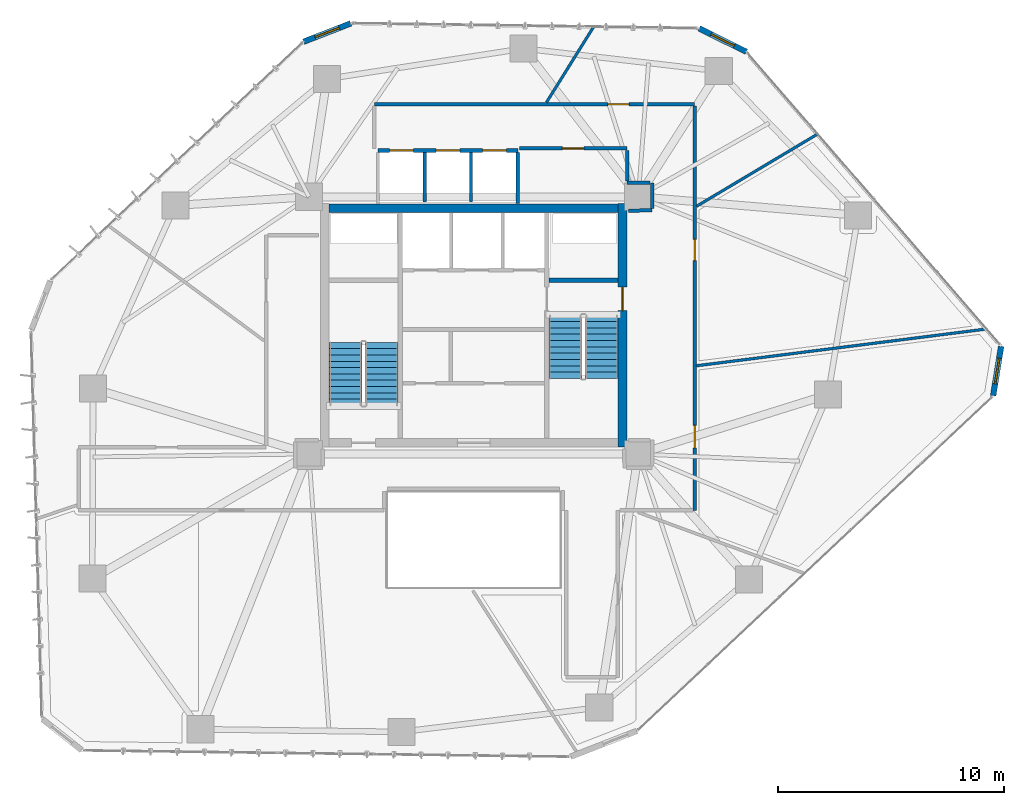
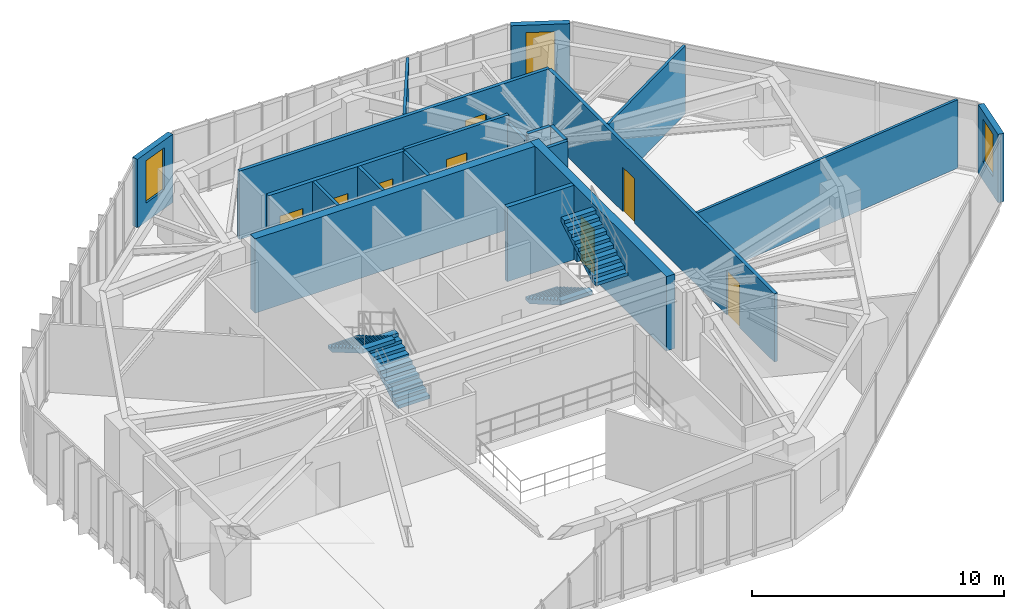
# One storey, part 19 of 22: 20 walls, 8 doors, 4 stair flights, 3 windows, 11 openings, 2 elements without a shape of their own.
"""IFC4 building model written with IfcOpenShell, lengths in metres."""

from ifc_helpers import new_model, si_unit, direction, frame, frame_2d, origin, place, context, subcontext, project, spatial, polyline, rectangle, outline, extrude, source, transform, mapped, material, layer, layer_set, type_object, type_shapes, element, fill, aggregate, save


model = new_model("IFC4")

# Units and contexts
model_context = context("Model", 3, precision=1e-05, world=origin(), true_north=direction((0.0, 1.0)))
body_context = subcontext(model_context, "Body", "Model", "MODEL_VIEW")
ifc_project = project(units=[si_unit("LENGTHUNIT", "METRE"), si_unit("AREAUNIT", "SQUARE_METRE"), si_unit("VOLUMEUNIT", "CUBIC_METRE"), si_unit("PLANEANGLEUNIT", "RADIAN"), si_unit("MASSUNIT", "GRAM", prefix="KILO")], contexts=[model_context])

# Site, building, storey
site_placement = place(None, origin())
site = spatial("IfcSite", under=ifc_project, at=site_placement, CompositionType="ELEMENT")
building_placement = place(site_placement, origin())
building = spatial("IfcBuilding", under=site, at=building_placement, Name="Talar Marvaseh", CompositionType="ELEMENT")
storey_placement = place(building_placement, frame((0.0, 0.0, 89.39990234375)))
storey = spatial("IfcBuildingStorey", under=building, at=storey_placement, Name="L22", CompositionType="ELEMENT", Elevation=89.39990234375)

# Wall, opening, window
ifc_material_1 = material(Name="Precast concrete C45/55", Category="concrete")
ifc_layer_1 = layer(ifc_material_1, 0.2548828125)
ifc_layer_set_1 = layer_set([ifc_layer_1], Name="Precast concrete C45/55")
wall_type_1 = type_object("IfcWallType", Name="Chamfered Hexagonal Corner Pier Wall Z2 255", PredefinedType="SOLIDWALL", material=ifc_layer_set_1)
wall_1_placement = place(storey_placement, frame((18.46728515625, 43.7734375, 0.0), z_axis=(0.0, 0.0, 1.0), x_axis=(0.931996507687, 0.362467253223, 0.0)))
wall_1 = element("IfcWall", 1, at=wall_1_placement, inside=storey, type_object=wall_type_1, Name="L22 Chamfered Corner Limestone Pier 3", PredefinedType="SOLIDWALL", context=body_context, shape_type="SweptSolid", body=[
    extrude(rectangle(XDim=2.244873046875, YDim=0.2548828125, at=frame_2d((1.12255859375, 0.0))), origin(), (0.0, 0.0, 1.0), 3.31005859375),
])
opening_1_placement = place(wall_1_placement, frame((0.548095703125, 0.0, 0.89990234375)))
opening_1 = element("IfcOpeningElement", 2, at=opening_1_placement, cuts=wall_1, Name="Opening WN-CHM11", PredefinedType="OPENING", context=body_context, shape_type="SweptSolid", body=[
    extrude(rectangle(XDim=1.14990234375, YDim=2.050048828125, at=frame_2d((0.574951171875, 1.02490234375))), frame((0.0, 0.137451171875, 0.0), z_axis=(0.0, -1.0, 0.0), x_axis=(1.0, 0.0, 0.0)), (0.0, 0.0, 1.0), 0.27490234375),
])
ifc_material_2 = material(Name="Laminated Low-E Solar Glass", Category="glass")
window_type = type_object("IfcWindowType", Name="Zone 2 Chamfered Corner Slot Window 1150x2050", PartitioningType="SINGLE_PANEL", PredefinedType="WINDOW", material=ifc_material_2)
shared_shape_1 = source(origin(), body_context, "Body", "SweptSolid", [
    extrude(rectangle(XDim=1.14990234375, YDim=2.050048828125, at=frame_2d((0.574951171875, 1.02490234375))), frame((0.0, 0.030029296875, 0.0), z_axis=(0.0, -1.0, 0.0), x_axis=(1.0, 0.0, 0.0)), (0.0, 0.0, 1.0), 0.06005859375),
])
type_shapes(window_type, [shared_shape_1])
window_1_placement = place(opening_1_placement, origin())
window_1 = element("IfcWindow", 3, at=window_1_placement, inside=storey, type_object=window_type, Name="L22 Chamfered Corner Slot Window", OverallHeight=2.050048828125, OverallWidth=1.14990234375, PartitioningType="SINGLE_PANEL", PredefinedType="WINDOW", context=body_context, shape_type="MappedRepresentation", body=[
    mapped(shared_shape_1, transform((0.0, 0.0, 0.0), x_axis=(1.0, 0.0, 0.0), y_axis=(0.0, 1.0, 0.0), z_axis=(0.0, 0.0, 1.0), scale=1.0)),
])
fill(opening_1, window_1)

wall_2_placement = place(storey_placement, frame((35.99658203125, 44.365478515625, 0.0), z_axis=(0.0, 0.0, 1.0), x_axis=(0.895882535091, -0.444290989463, 0.0)))
wall_2 = element("IfcWall", 4, at=wall_2_placement, inside=storey, type_object=wall_type_1, Name="L22 Chamfered Corner Limestone Pier 4", PredefinedType="SOLIDWALL", context=body_context, shape_type="SweptSolid", body=[
    extrude(rectangle(XDim=2.3408203125, YDim=0.2548828125, at=frame_2d((1.17041015625, 0.0))), origin(), (0.0, 0.0, 1.0), 3.31005859375),
])
opening_2_placement = place(wall_2_placement, frame((0.594970703125, 0.0, 0.89990234375)))
opening_2 = element("IfcOpeningElement", 5, at=opening_2_placement, cuts=wall_2, Name="Opening WN-CHM11", PredefinedType="OPENING", context=body_context, shape_type="SweptSolid", body=[
    extrude(rectangle(XDim=1.14990234375, YDim=2.050048828125, at=frame_2d((0.574951171875, 1.02490234375))), frame((0.0, 0.137451171875, 0.0), z_axis=(0.0, -1.0, 0.0), x_axis=(1.0, 0.0, 0.0)), (0.0, 0.0, 1.0), 0.27490234375),
])
window_2_placement = place(opening_2_placement, origin())
window_2 = element("IfcWindow", 6, at=window_2_placement, inside=storey, type_object=window_type, Name="L22 Chamfered Corner Slot Window", OverallHeight=2.050048828125, OverallWidth=1.14990234375, PartitioningType="SINGLE_PANEL", PredefinedType="WINDOW", context=body_context, shape_type="MappedRepresentation", body=[
    mapped(shared_shape_1, transform((0.0, 0.0, 0.0), x_axis=(1.0, 0.0, 0.0), y_axis=(0.0, 1.0, 0.0), z_axis=(0.0, 0.0, 1.0), scale=1.0)),
])
fill(opening_2, window_2)

wall_3_placement = place(storey_placement, frame((49.383056640625, 30.2685546875, 0.0), z_axis=(0.0, 0.0, 1.0), x_axis=(-0.159485223394, -0.987200315802, 0.0)))
wall_3 = element("IfcWall", 7, at=wall_3_placement, inside=storey, type_object=wall_type_1, Name="L22 Chamfered Corner Limestone Pier 5", PredefinedType="SOLIDWALL", context=body_context, shape_type="SweptSolid", body=[
    extrude(rectangle(XDim=2.216552734375, YDim=0.2548828125, at=frame_2d((1.1083984375, 0.0))), origin(), (0.0, 0.0, 1.0), 3.31005859375),
])
opening_3_placement = place(wall_3_placement, frame((0.532958984375, 0.0, 0.89990234375)))
opening_3 = element("IfcOpeningElement", 8, at=opening_3_placement, cuts=wall_3, Name="Opening WN-CHM11", PredefinedType="OPENING", context=body_context, shape_type="SweptSolid", body=[
    extrude(rectangle(XDim=1.14990234375, YDim=2.050048828125, at=frame_2d((0.574951171875, 1.02490234375))), frame((0.0, 0.137451171875, 0.0), z_axis=(0.0, -1.0, 0.0), x_axis=(1.0, 0.0, 0.0)), (0.0, 0.0, 1.0), 0.27490234375),
])
window_3_placement = place(opening_3_placement, origin())
window_3 = element("IfcWindow", 9, at=window_3_placement, inside=storey, type_object=window_type, Name="L22 Chamfered Corner Slot Window", OverallHeight=2.050048828125, OverallWidth=1.14990234375, PartitioningType="SINGLE_PANEL", PredefinedType="WINDOW", context=body_context, shape_type="MappedRepresentation", body=[
    mapped(shared_shape_1, transform((0.0, 0.0, 0.0), x_axis=(1.0, 0.0, 0.0), y_axis=(0.0, 1.0, 0.0), z_axis=(0.0, 0.0, 1.0), scale=1.0)),
])
fill(opening_3, window_3)

# Wall, opening, door
ifc_material_3 = material(Name="Gypsum Board Partition Assembly")
ifc_layer_2 = layer(ifc_material_3, 0.155029296875)
ifc_layer_set_2 = layer_set([ifc_layer_2], Name="Gypsum Board Partition Assembly")
wall_type_2 = type_object("IfcWallType", Name="Corridor Fire-Rated Acoustic Partition 155", PredefinedType="PARTITIONING", material=ifc_layer_set_2)
wall_4_placement = place(storey_placement, frame((32.800048828125, 39.0400390625, 0.0), z_axis=(0.0, 0.0, 1.0), x_axis=(-1.0, 0.0, 0.0)))
wall_4 = element("IfcWall", 10, at=wall_4_placement, inside=storey, type_object=wall_type_2, Name="L22 Interior Partition Wall", PredefinedType="PARTITIONING", context=body_context, shape_type="SweptSolid", body=[
    extrude(rectangle(XDim=4.77001953125, YDim=0.155029296875, at=frame_2d((2.385009765625, 0.0))), origin(), (0.0, 0.0, 1.0), 3.31005859375),
])
opening_4_placement = place(wall_4_placement, frame((1.909912109375, 0.0, 0.0)))
opening_4 = element("IfcOpeningElement", 11, at=opening_4_placement, cuts=wall_4, Name="Opening DR-WC095", PredefinedType="OPENING", context=body_context, shape_type="SweptSolid", body=[
    extrude(rectangle(XDim=0.949951171875, YDim=2.14990234375, at=frame_2d((0.47509765625, 1.074951171875))), frame((0.0, 0.08740234375, 0.0), z_axis=(0.0, -1.0, 0.0), x_axis=(1.0, 0.0, 0.0)), (0.0, 0.0, 1.0), 0.175048828125),
])
ifc_material_4 = material(Name="Acoustic Engineered Oak Timber", Category="wood")
door_type_1 = type_object("IfcDoorType", Name="Washroom and Service Room Door 950x2150", OperationType="NOTDEFINED", PredefinedType="DOOR", material=ifc_material_4)
shared_shape_2 = source(origin(), body_context, "Body", "SweptSolid", [
    extrude(rectangle(XDim=0.949951171875, YDim=2.14990234375, at=frame_2d((0.47509765625, 1.074951171875))), frame((0.0, 0.02490234375, 0.0), z_axis=(0.0, -1.0, 0.0), x_axis=(1.0, 0.0, 0.0)), (0.0, 0.0, 1.0), 0.050048828125),
])
type_shapes(door_type_1, [shared_shape_2])
door_1_placement = place(opening_4_placement, origin())
door_1 = element("IfcDoor", 12, at=door_1_placement, inside=storey, type_object=door_type_1, Name="L22 WC Public Washrooms Door", OperationType="SINGLE_SWING_RIGHT", OverallHeight=2.14990234375, OverallWidth=0.949951171875, PredefinedType="DOOR", context=body_context, shape_type="MappedRepresentation", body=[
    mapped(shared_shape_2, transform((0.0, 0.0, 0.0), x_axis=(1.0, 0.0, 0.0), y_axis=(0.0, 1.0, 0.0), z_axis=(0.0, 0.0, 1.0), scale=1.0)),
])
fill(opening_4, door_1)

wall_5_placement = place(storey_placement, frame((21.60009765625, 41.0, 0.0), z_axis=(0.0, 0.0, 1.0), x_axis=(1.0, 0.0, 0.0)))
wall_5 = element("IfcWall", 13, at=wall_5_placement, inside=storey, type_object=wall_type_2, Name="L22 Interior Partition Wall", PredefinedType="PARTITIONING", context=body_context, shape_type="SweptSolid", body=[
    extrude(rectangle(XDim=14.199951171875, YDim=0.155029296875, at=frame_2d((7.10009765625, 0.0))), origin(), (0.0, 0.0, 1.0), 3.31005859375),
])
opening_5_placement = place(wall_5_placement, frame((10.3466796875, 0.0, 0.0)))
opening_5 = element("IfcOpeningElement", 14, at=opening_5_placement, cuts=wall_5, Name="Opening DR-WC095", PredefinedType="OPENING", context=body_context, shape_type="SweptSolid", body=[
    extrude(rectangle(XDim=0.949951171875, YDim=2.14990234375, at=frame_2d((0.47509765625, 1.074951171875))), frame((0.0, 0.08740234375, 0.0), z_axis=(0.0, -1.0, 0.0), x_axis=(1.0, 0.0, 0.0)), (0.0, 0.0, 1.0), 0.175048828125),
])
door_2_placement = place(opening_5_placement, origin())
door_2 = element("IfcDoor", 15, at=door_2_placement, inside=storey, type_object=door_type_1, Name="L22 Accessible WC Block Door", OperationType="SINGLE_SWING_LEFT", OverallHeight=2.14990234375, OverallWidth=0.949951171875, PredefinedType="DOOR", context=body_context, shape_type="MappedRepresentation", body=[
    mapped(shared_shape_2, transform((0.0, 0.0, 0.0), x_axis=(1.0, 0.0, 0.0), y_axis=(0.0, 1.0, 0.0), z_axis=(0.0, 0.0, 1.0), scale=1.0)),
])
fill(opening_5, door_2)

# Wall, openings, doors
wall_6_placement = place(storey_placement, frame((35.800048828125, 40.91650390625, 0.0), z_axis=(0.0, 0.0, 1.0), x_axis=(0.0, -1.0, 0.0)))
wall_6 = element("IfcWall", 16, at=wall_6_placement, inside=storey, type_object=wall_type_2, Name="L22 Interior Partition Wall", PredefinedType="PARTITIONING", context=body_context, shape_type="SweptSolid", body=[
    extrude(rectangle(XDim=17.91650390625, YDim=0.155029296875, at=frame_2d((8.958251953125, 0.0))), origin(), (0.0, 0.0, 1.0), 3.31005859375),
])
opening_6_placement = place(wall_6_placement, frame((14.144287109375, 0.0, 0.0)))
opening_6 = element("IfcOpeningElement", 17, at=opening_6_placement, cuts=wall_6, Name="Opening DR-RM100", PredefinedType="OPENING", context=body_context, shape_type="SweptSolid", body=[
    extrude(rectangle(XDim=1.0, YDim=2.14990234375, at=frame_2d((0.5, 1.074951171875))), frame((0.0, 0.08740234375, 0.0), z_axis=(0.0, -1.0, 0.0), x_axis=(1.0, 0.0, 0.0)), (0.0, 0.0, 1.0), 0.175048828125),
])
opening_7_placement = place(wall_6_placement, frame((5.900146484375, 0.0, 0.0)))
opening_7 = element("IfcOpeningElement", 18, at=opening_7_placement, cuts=wall_6, Name="Opening DR-WC095", PredefinedType="OPENING", context=body_context, shape_type="SweptSolid", body=[
    extrude(rectangle(XDim=0.949951171875, YDim=2.14990234375, at=frame_2d((0.47509765625, 1.074951171875))), frame((0.0, 0.08740234375, 0.0), z_axis=(0.0, -1.0, 0.0), x_axis=(1.0, 0.0, 0.0)), (0.0, 0.0, 1.0), 0.175048828125),
])
door_3_placement = place(opening_7_placement, origin())
door_3 = element("IfcDoor", 19, at=door_3_placement, inside=storey, type_object=door_type_1, Name="L22 Scholars' Servery Pantry Door", OperationType="SINGLE_SWING_RIGHT", OverallHeight=2.14990234375, OverallWidth=0.949951171875, PredefinedType="DOOR", context=body_context, shape_type="MappedRepresentation", body=[
    mapped(shared_shape_2, transform((0.0, 0.0, 0.0), x_axis=(1.0, 0.0, 0.0), y_axis=(0.0, 1.0, 0.0), z_axis=(0.0, 0.0, 1.0), scale=1.0)),
])
fill(opening_7, door_3)
door_type_2 = type_object("IfcDoorType", Name="Corridor Fire-Rated Gallery Door 1000x2150", OperationType="NOTDEFINED", PredefinedType="DOOR", material=ifc_material_4)
shared_shape_3 = source(origin(), body_context, "Body", "SweptSolid", [
    extrude(rectangle(XDim=1.0, YDim=2.14990234375, at=frame_2d((0.5, 1.074951171875))), frame((0.0, 0.02490234375, 0.0), z_axis=(0.0, -1.0, 0.0), x_axis=(1.0, 0.0, 0.0)), (0.0, 0.0, 1.0), 0.050048828125),
])
type_shapes(door_type_2, [shared_shape_3])
door_4_placement = place(opening_6_placement, origin())
door_4 = element("IfcDoor", 20, at=door_4_placement, inside=storey, type_object=door_type_2, Name="L22 Main Reading Room Door", OperationType="SINGLE_SWING_LEFT", OverallHeight=2.14990234375, OverallWidth=1.0, PredefinedType="DOOR", context=body_context, shape_type="MappedRepresentation", body=[
    mapped(shared_shape_3, transform((0.0, 0.0, 0.0), x_axis=(1.0, 0.0, 0.0), y_axis=(0.0, 1.0, 0.0), z_axis=(0.0, 0.0, 1.0), scale=1.0)),
])
fill(opening_6, door_4)

# Walls
wall_7_placement = place(storey_placement, frame((32.8701171875, 36.284912109375, 0.0), z_axis=(0.0, 0.0, 1.0), x_axis=(0.999895094683, 0.014484461652, 0.0)))
element("IfcWall", 21, at=wall_7_placement, inside=storey, type_object=wall_type_2, Name="L22 Interior Partition Wall", PredefinedType="PARTITIONING", context=body_context, shape_type="SweptSolid", body=[
    extrude(rectangle(XDim=1.044921875, YDim=0.155029296875, at=frame_2d((0.5224609375, 0.0))), origin(), (0.0, 0.0, 1.0), 3.31005859375),
])
wall_8_placement = place(storey_placement, frame((33.914794921875, 36.383544921875, 0.0), z_axis=(0.0, 0.0, 1.0), x_axis=(-0.003682817312, 0.999993218405, 0.0)))
element("IfcWall", 22, at=wall_8_placement, inside=storey, type_object=wall_type_2, Name="L22 Interior Partition Wall", PredefinedType="PARTITIONING", context=body_context, shape_type="SweptSolid", body=[
    extrude(rectangle(XDim=1.126953125, YDim=0.155029296875, at=frame_2d((0.5634765625, 0.0))), origin(), (0.0, 0.0, 1.0), 3.31005859375),
])
wall_9_placement = place(storey_placement, frame((33.8271484375, 37.510986328125, 0.0), z_axis=(0.0, 0.0, 1.0), x_axis=(-0.99999276797, 0.003803157663, 0.0)))
element("IfcWall", 23, at=wall_9_placement, inside=storey, type_object=wall_type_2, Name="L22 Interior Partition Wall", PredefinedType="PARTITIONING", context=body_context, shape_type="SweptSolid", body=[
    extrude(rectangle(XDim=1.027099609375, YDim=0.155029296875, at=frame_2d((0.513671875, 0.0))), origin(), (0.0, 0.0, 1.0), 3.31005859375),
])
wall_10_placement = place(storey_placement, frame((32.800048828125, 37.598388671875, 0.0), z_axis=(0.0, 0.0, 1.0), x_axis=(0.0, 1.0, 0.0)))
element("IfcWall", 24, at=wall_10_placement, inside=storey, type_object=wall_type_2, Name="L22 Interior Partition Wall", PredefinedType="PARTITIONING", context=body_context, shape_type="SweptSolid", body=[
    extrude(rectangle(XDim=1.358154296875, YDim=0.155029296875, at=frame_2d((0.67919921875, 0.0))), origin(), (0.0, 0.0, 1.0), 2.927001953125),
])
ifc_layer_3 = layer(ifc_material_3, 0.1201171875)
ifc_layer_set_3 = layer_set([ifc_layer_3], Name="Gypsum Board Partition Assembly")
wall_type_3 = type_object("IfcWallType", Name="Demountable Studio Room Partition 120", PredefinedType="PARTITIONING", material=ifc_layer_set_3)
wall_11_placement = place(storey_placement, frame((35.864501953125, 29.408203125, 0.0), z_axis=(0.0, 0.0, 1.0), x_axis=(0.992060395475, 0.125762362136, 0.0)))
element("IfcWall", 25, at=wall_11_placement, inside=storey, type_object=wall_type_3, Name="L22 Interior Partition Wall", PredefinedType="PARTITIONING", context=body_context, shape_type="SweptSolid", body=[
    extrude(rectangle(XDim=12.9560546875, YDim=0.1201171875, at=frame_2d((6.47802734375, 0.0))), origin(), (0.0, 0.0, 1.0), 3.31005859375),
])
wall_12_placement = place(storey_placement, frame((35.883544921875, 36.479736328125, 0.0), z_axis=(0.0, 0.0, 1.0), x_axis=(0.858762929793, 0.512373135922, 0.0)))
element("IfcWall", 26, at=wall_12_placement, inside=storey, type_object=wall_type_3, Name="L22 Interior Partition Wall", PredefinedType="PARTITIONING", context=body_context, shape_type="SweptSolid", body=[
    extrude(rectangle(XDim=6.229248046875, YDim=0.1201171875, at=frame_2d((3.11474609375, 0.0))), origin(), (0.0, 0.0, 1.0), 3.31005859375),
])
wall_13_placement = place(storey_placement, frame((29.23193359375, 41.08349609375, 0.0), z_axis=(0.0, 0.0, 1.0), x_axis=(0.529099185054, 0.848559987494, 0.0)))
element("IfcWall", 27, at=wall_13_placement, inside=storey, type_object=wall_type_3, Name="L22 Interior Partition Wall", PredefinedType="PARTITIONING", context=body_context, shape_type="SweptSolid", body=[
    extrude(rectangle(XDim=3.92822265625, YDim=0.1201171875, at=frame_2d((1.964111328125, 0.0))), origin(), (0.0, 0.0, 1.0), 3.31005859375),
])
ifc_layer_4 = layer(ifc_material_1, 0.14501953125)
ifc_layer_set_4 = layer_set([ifc_layer_4], Name="Precast concrete C45/55")
wall_type_4 = type_object("IfcWallType", Name="Fire-Rated Lift Divider Wall 145", PredefinedType="SOLIDWALL", material=ifc_layer_set_4)
wall_14_placement = place(storey_placement, frame((27.9599609375, 36.60009765625, 0.0), z_axis=(0.0, 0.0, 1.0), x_axis=(0.0, 1.0, 0.0)))
element("IfcWall", 28, at=wall_14_placement, inside=storey, type_object=wall_type_4, Name="L22 Low-Rise Bank East Wall", PredefinedType="SOLIDWALL", context=body_context, shape_type="SweptSolid", body=[
    extrude(rectangle(XDim=2.266357421875, YDim=0.14501953125, at=frame_2d((1.13330078125, 0.0))), origin(), (0.0, 0.0, 1.0), 3.31005859375),
])
for number, where, z_axis, x_axis, name in (
    (29, (23.830078125, 36.659912109375, 0.0), (0.0, 0.0, 1.0), (0.0, 1.0, 0.0), "L22 PL-L1/PL-L2 Divider"),
    (30, (25.889892578125, 36.659912109375, 0.0), (0.0, 0.0, 1.0), (0.0, 1.0, 0.0), "L22 PL-L2/PL-L3 Divider"),
):
    element("IfcWall", number, at=place(storey_placement, frame(where, z_axis=z_axis, x_axis=x_axis)), inside=storey, type_object=wall_type_4, Name=name, PredefinedType="SOLIDWALL", context=body_context, shape_type="SweptSolid", body=[
        extrude(rectangle(XDim=2.20654296875, YDim=0.14501953125, at=frame_2d((1.103271484375, 0.0))), origin(), (0.0, 0.0, 1.0), 3.31005859375),
    ])

# Wall, openings, doors
ifc_layer_5 = layer(ifc_material_1, 0.175048828125)
ifc_layer_set_5 = layer_set([ifc_layer_5], Name="Precast concrete C45/55")
wall_type_5 = type_object("IfcWallType", Name="Fire-Rated Lift Hoistway Enclosure Wall 175", PredefinedType="SOLIDWALL", material=ifc_layer_set_5)
wall_15_placement = place(storey_placement, frame((21.760009765625, 38.9599609375, 0.0), z_axis=(0.0, 0.0, 1.0), x_axis=(1.0, 0.0, 0.0)))
wall_15 = element("IfcWall", 31, at=wall_15_placement, inside=storey, type_object=wall_type_5, Name="L22 Low-Rise Lift Bank Front Wall", PredefinedType="SOLIDWALL", context=body_context, shape_type="SweptSolid", body=[
    extrude(rectangle(XDim=6.199951171875, YDim=0.175048828125, at=frame_2d((3.10009765625, 0.0))), origin(), (0.0, 0.0, 1.0), 3.31005859375),
])
opening_8_placement = place(wall_15_placement, frame((0.52001953125, 0.0, 0.0)))
opening_8 = element("IfcOpeningElement", 32, at=opening_8_placement, cuts=wall_15, Name="Opening LD-PLL1", PredefinedType="OPENING", context=body_context, shape_type="SweptSolid", body=[
    extrude(rectangle(XDim=1.050048828125, YDim=2.14990234375, at=frame_2d((0.52490234375, 1.074951171875))), frame((0.0, 0.09765625, 0.0), z_axis=(0.0, -1.0, 0.0), x_axis=(1.0, 0.0, 0.0)), (0.0, 0.0, 1.0), 0.195068359375),
])
opening_9_placement = place(wall_15_placement, frame((2.580078125, 0.0, 0.0)))
opening_9 = element("IfcOpeningElement", 33, at=opening_9_placement, cuts=wall_15, Name="Opening LD-PLL2", PredefinedType="OPENING", context=body_context, shape_type="SweptSolid", body=[
    extrude(rectangle(XDim=1.050048828125, YDim=2.14990234375, at=frame_2d((0.52490234375, 1.074951171875))), frame((0.0, 0.09765625, 0.0), z_axis=(0.0, -1.0, 0.0), x_axis=(1.0, 0.0, 0.0)), (0.0, 0.0, 1.0), 0.195068359375),
])
opening_10_placement = place(wall_15_placement, frame((4.639892578125, 0.0, 0.0)))
opening_10 = element("IfcOpeningElement", 34, at=opening_10_placement, cuts=wall_15, Name="Opening LD-PLL3", PredefinedType="OPENING", context=body_context, shape_type="SweptSolid", body=[
    extrude(rectangle(XDim=1.050048828125, YDim=2.14990234375, at=frame_2d((0.52490234375, 1.074951171875))), frame((0.0, 0.09765625, 0.0), z_axis=(0.0, -1.0, 0.0), x_axis=(1.0, 0.0, 0.0)), (0.0, 0.0, 1.0), 0.195068359375),
])
ifc_material_5 = material(Name="Stainless Steel Grade 316", Category="steel")
door_type_3 = type_object("IfcDoorType", Name="Automatic Sliding Lift Landing Door 1050x2150", OperationType="NOTDEFINED", PredefinedType="DOOR", material=ifc_material_5)
shared_shape_4 = source(origin(), body_context, "Body", "SweptSolid", [
    extrude(rectangle(XDim=1.050048828125, YDim=2.14990234375, at=frame_2d((0.52490234375, 1.074951171875))), frame((0.0, 0.02490234375, 0.0), z_axis=(0.0, -1.0, 0.0), x_axis=(1.0, 0.0, 0.0)), (0.0, 0.0, 1.0), 0.050048828125),
])
type_shapes(door_type_3, [shared_shape_4])
door_5_placement = place(opening_8_placement, origin())
door_5 = element("IfcDoor", 35, at=door_5_placement, inside=storey, type_object=door_type_3, Name="L22 Lift PL-L1 Sliding Landing Door", OperationType="SLIDING_TO_LEFT", OverallHeight=2.14990234375, OverallWidth=1.050048828125, PredefinedType="DOOR", context=body_context, shape_type="MappedRepresentation", body=[
    mapped(shared_shape_4, transform((0.0, 0.0, 0.0), x_axis=(1.0, 0.0, 0.0), y_axis=(0.0, 1.0, 0.0), z_axis=(0.0, 0.0, 1.0), scale=1.0)),
])
fill(opening_8, door_5)
door_6_placement = place(opening_9_placement, origin())
door_6 = element("IfcDoor", 36, at=door_6_placement, inside=storey, type_object=door_type_3, Name="L22 Lift PL-L2 Sliding Landing Door", OperationType="SLIDING_TO_LEFT", OverallHeight=2.14990234375, OverallWidth=1.050048828125, PredefinedType="DOOR", context=body_context, shape_type="MappedRepresentation", body=[
    mapped(shared_shape_4, transform((0.0, 0.0, 0.0), x_axis=(1.0, 0.0, 0.0), y_axis=(0.0, 1.0, 0.0), z_axis=(0.0, 0.0, 1.0), scale=1.0)),
])
fill(opening_9, door_6)
door_7_placement = place(opening_10_placement, origin())
door_7 = element("IfcDoor", 37, at=door_7_placement, inside=storey, type_object=door_type_3, Name="L22 Lift PL-L3 Sliding Landing Door", OperationType="SLIDING_TO_LEFT", OverallHeight=2.14990234375, OverallWidth=1.050048828125, PredefinedType="DOOR", context=body_context, shape_type="MappedRepresentation", body=[
    mapped(shared_shape_4, transform((0.0, 0.0, 0.0), x_axis=(1.0, 0.0, 0.0), y_axis=(0.0, 1.0, 0.0), z_axis=(0.0, 0.0, 1.0), scale=1.0)),
])
fill(opening_10, door_7)

# Wall, opening, door
ifc_material_6 = material(Name="Concrete C60/75", Category="concrete")
ifc_layer_6 = layer(ifc_material_6, 0.3798828125)
ifc_layer_set_6 = layer_set([ifc_layer_6], Name="Concrete C60/75")
wall_type_6 = type_object("IfcWallType", Name="Mid Core Reinforced Concrete Shear Wall 380", PredefinedType="SHEAR", material=ifc_layer_set_6)
wall_16_placement = place(storey_placement, frame((32.60009765625, 36.60009765625, 0.0), z_axis=(0.0, 0.0, 1.0), x_axis=(0.0, -1.0, 0.0)))
wall_16 = element("IfcWall", 38, at=wall_16_placement, inside=storey, type_object=wall_type_6, Name="L22 East Core Shear Wall", PredefinedType="SHEAR", context=body_context, shape_type="SweptSolid", body=[
    extrude(rectangle(XDim=10.800048828125, YDim=0.3798828125, at=frame_2d((5.39990234375, 0.0))), origin(), (0.0, 0.0, 1.0), 3.60009765625),
])
opening_11_placement = place(wall_16_placement, frame((3.699951171875, 0.0, 0.0)))
opening_11 = element("IfcOpeningElement", 39, at=opening_11_placement, cuts=wall_16, Name="Opening DR-ST105", PredefinedType="OPENING", context=body_context, shape_type="SweptSolid", body=[
    extrude(rectangle(XDim=1.050048828125, YDim=2.14990234375, at=frame_2d((0.52490234375, 1.074951171875))), frame((0.0, 0.199951171875, 0.0), z_axis=(0.0, -1.0, 0.0), x_axis=(1.0, 0.0, 0.0)), (0.0, 0.0, 1.0), 0.39990234375),
])
ifc_material_7 = material(Name="Fire-Rated Steel Door Leaf", Category="steel")
door_type_4 = type_object("IfcDoorType", Name="Protected Exit Stair Fire Door 1050x2150", OperationType="NOTDEFINED", PredefinedType="DOOR", material=ifc_material_7)
shared_shape_5 = source(origin(), body_context, "Body", "SweptSolid", [
    extrude(rectangle(XDim=1.050048828125, YDim=2.14990234375, at=frame_2d((0.52490234375, 1.074951171875))), frame((0.0, 0.02490234375, 0.0), z_axis=(0.0, -1.0, 0.0), x_axis=(1.0, 0.0, 0.0)), (0.0, 0.0, 1.0), 0.050048828125),
])
type_shapes(door_type_4, [shared_shape_5])
door_8_placement = place(opening_11_placement, origin())
door_8 = element("IfcDoor", 40, at=door_8_placement, inside=storey, type_object=door_type_4, Name="L22 Stair ST-2 Corridor Exit Door", OperationType="SINGLE_SWING_LEFT", OverallHeight=2.14990234375, OverallWidth=1.050048828125, PredefinedType="DOOR", context=body_context, shape_type="MappedRepresentation", body=[
    mapped(shared_shape_5, transform((0.0, 0.0, 0.0), x_axis=(1.0, 0.0, 0.0), y_axis=(0.0, 1.0, 0.0), z_axis=(0.0, 0.0, 1.0), scale=1.0)),
])
fill(opening_11, door_8)

# Walls
wall_17_placement = place(storey_placement, frame((19.60009765625, 36.39990234375, 0.0), z_axis=(0.0, 0.0, 1.0), x_axis=(1.0, 0.0, 0.0)))
element("IfcWall", 41, at=wall_17_placement, inside=storey, type_object=wall_type_6, Name="L22 North Core Shear Wall", PredefinedType="SHEAR", context=body_context, shape_type="SweptSolid", body=[
    extrude(rectangle(XDim=12.7998046875, YDim=0.3798828125, at=frame_2d((6.39990234375, 0.0))), origin(), (0.0, 0.0, 1.0), 3.60009765625),
])
ifc_material_8 = material(Name="Concrete C50/60", Category="concrete")
ifc_layer_7 = layer(ifc_material_8, 0.199951171875)
ifc_layer_set_7 = layer_set([ifc_layer_7], Name="Concrete C50/60")
wall_type_7 = type_object("IfcWallType", Name="Stair Shaft Structural Concrete Shear Wall 200", PredefinedType="SHEAR", material=ifc_layer_set_7)
wall_18_placement = place(storey_placement, frame((29.340087890625, 33.199951171875, 0.0), z_axis=(0.0, 0.0, 1.0), x_axis=(1.0, 0.0, 0.0)))
element("IfcWall", 42, at=wall_18_placement, inside=storey, type_object=wall_type_7, Name="L22 Stair ST-2 North Shear Wall", PredefinedType="SHEAR", context=body_context, shape_type="SweptSolid", body=[
    extrude(rectangle(XDim=3.059814453125, YDim=0.199951171875, at=frame_2d((1.52978515625, 0.0))), origin(), (0.0, 0.0, 1.0), 3.60009765625),
])

# Stair, stair flights
ifc_material_9 = material(Name="Concrete C40/50", Category="concrete")
stair_type = type_object("IfcStairType", Name="Reinforced Concrete Half-Turn Exit Stair Type B", PredefinedType="HALF_TURN_STAIR", material=ifc_material_9)
stair_1_placement = place(storey_placement, origin())
stair_1 = element("IfcStair", 43, at=stair_1_placement, inside=storey, type_object=stair_type, Name="L22 Tower West Core Exit Stair", PredefinedType="HALF_TURN_STAIR")
ifc_layer_8 = layer(ifc_material_9, 0.159912109375)
ifc_layer_set_8 = layer_set([ifc_layer_8], Name="Concrete C40/50")
stair_flight_type = type_object("IfcStairFlightType", Name="Reinforced Concrete Straight Stair Flight 160", PredefinedType="STRAIGHT", material=ifc_layer_set_8)
stair_flight_1_placement = place(storey_placement, frame((21.93505859375, 27.64990234375, 0.0), z_axis=(0.0, 0.0, 1.0), x_axis=(0.0, 1.0, 0.0)))
stair_flight_1 = element("IfcStairFlight", 44, at=stair_flight_1_placement, type_object=stair_flight_type, Name="ST-1 flight 1", NumberOfRisers=11, NumberOfTreads=10, PredefinedType="STRAIGHT", RiserHeight=0.163636364, TreadLength=0.28, context=body_context, shape_type="SweptSolid", body=[
    extrude(outline(polyline([(0.0, 0.0), (0.0, 0.16357421875), (0.280029296875, 0.16357421875), (0.280029296875, 0.327392578125), (0.56005859375, 0.327392578125), (0.56005859375, 0.490966796875), (0.840087890625, 0.490966796875), (0.840087890625, 0.654541015625), (1.1201171875, 0.654541015625), (1.1201171875, 0.818115234375), (1.39990234375, 0.818115234375), (1.39990234375, 0.98193359375), (1.679931640625, 0.98193359375), (1.679931640625, 1.1455078125), (1.9599609375, 1.1455078125), (1.9599609375, 1.30908203125), (2.239990234375, 1.30908203125), (2.239990234375, 1.47265625), (2.52001953125, 1.47265625), (2.52001953125, 1.636474609375), (2.800048828125, 1.636474609375), (2.800048828125, 1.800048828125), (2.800048828125, 1.451171875), (0.31689453125, 0.0), (0.0, 0.0)])), frame((0.0, 0.72509765625, 0.0), z_axis=(0.0, -1.0, 0.0), x_axis=(1.0, 0.0, 0.0)), (0.0, 0.0, 1.0), 1.449951171875),
])
stair_flight_2_placement = place(storey_placement, frame((20.324951171875, 30.449951171875, 1.800048828125), z_axis=(0.0, 0.0, 1.0), x_axis=(0.0, -1.0, 0.0)))
stair_flight_2 = element("IfcStairFlight", 45, at=stair_flight_2_placement, type_object=stair_flight_type, Name="ST-1 flight 2", NumberOfRisers=11, NumberOfTreads=10, PredefinedType="STRAIGHT", RiserHeight=0.163636364, TreadLength=0.28, context=body_context, shape_type="SweptSolid", body=[
    extrude(outline(polyline([(0.0, 0.0), (0.0, 0.16357421875), (0.280029296875, 0.16357421875), (0.280029296875, 0.327392578125), (0.56005859375, 0.327392578125), (0.56005859375, 0.490966796875), (0.840087890625, 0.490966796875), (0.840087890625, 0.654541015625), (1.1201171875, 0.654541015625), (1.1201171875, 0.818115234375), (1.39990234375, 0.818115234375), (1.39990234375, 0.98193359375), (1.679931640625, 0.98193359375), (1.679931640625, 1.1455078125), (1.9599609375, 1.1455078125), (1.9599609375, 1.30908203125), (2.239990234375, 1.30908203125), (2.239990234375, 1.47265625), (2.52001953125, 1.47265625), (2.52001953125, 1.636474609375), (2.800048828125, 1.636474609375), (2.800048828125, 1.800048828125), (2.800048828125, 1.451171875), (0.31689453125, 0.0), (0.0, 0.0)])), frame((0.0, 0.72509765625, 0.0), z_axis=(0.0, -1.0, 0.0), x_axis=(1.0, 0.0, 0.0)), (0.0, 0.0, 1.0), 1.449951171875),
])
aggregate(stair_1, [stair_flight_1, stair_flight_2])

stair_2_placement = place(storey_placement, origin())
stair_2 = element("IfcStair", 46, at=stair_2_placement, inside=storey, type_object=stair_type, Name="L22 Tower East Core Exit Stair", PredefinedType="HALF_TURN_STAIR")
stair_flight_3_placement = place(storey_placement, frame((30.06494140625, 31.64990234375, 0.0), z_axis=(0.0, 0.0, 1.0), x_axis=(0.0, -1.0, 0.0)))
stair_flight_3 = element("IfcStairFlight", 47, at=stair_flight_3_placement, type_object=stair_flight_type, Name="ST-2 flight 1", NumberOfRisers=11, NumberOfTreads=10, PredefinedType="STRAIGHT", RiserHeight=0.163636364, TreadLength=0.28, context=body_context, shape_type="SweptSolid", body=[
    extrude(outline(polyline([(0.0, 0.0), (0.0, 0.16357421875), (0.280029296875, 0.16357421875), (0.280029296875, 0.327392578125), (0.56005859375, 0.327392578125), (0.56005859375, 0.490966796875), (0.840087890625, 0.490966796875), (0.840087890625, 0.654541015625), (1.1201171875, 0.654541015625), (1.1201171875, 0.818115234375), (1.39990234375, 0.818115234375), (1.39990234375, 0.98193359375), (1.679931640625, 0.98193359375), (1.679931640625, 1.1455078125), (1.9599609375, 1.1455078125), (1.9599609375, 1.30908203125), (2.239990234375, 1.30908203125), (2.239990234375, 1.47265625), (2.52001953125, 1.47265625), (2.52001953125, 1.636474609375), (2.800048828125, 1.636474609375), (2.800048828125, 1.800048828125), (2.800048828125, 1.451171875), (0.31689453125, 0.0), (0.0, 0.0)])), frame((0.0, 0.72509765625, 0.0), z_axis=(0.0, -1.0, 0.0), x_axis=(1.0, 0.0, 0.0)), (0.0, 0.0, 1.0), 1.449951171875),
])
stair_flight_4_placement = place(storey_placement, frame((31.675048828125, 28.85009765625, 1.800048828125), z_axis=(0.0, 0.0, 1.0), x_axis=(0.0, 1.0, 0.0)))
stair_flight_4 = element("IfcStairFlight", 48, at=stair_flight_4_placement, type_object=stair_flight_type, Name="ST-2 flight 2", NumberOfRisers=11, NumberOfTreads=10, PredefinedType="STRAIGHT", RiserHeight=0.163636364, TreadLength=0.28, context=body_context, shape_type="SweptSolid", body=[
    extrude(outline(polyline([(0.0, 0.0), (0.0, 0.16357421875), (0.280029296875, 0.16357421875), (0.280029296875, 0.327392578125), (0.56005859375, 0.327392578125), (0.56005859375, 0.490966796875), (0.840087890625, 0.490966796875), (0.840087890625, 0.654541015625), (1.1201171875, 0.654541015625), (1.1201171875, 0.818115234375), (1.39990234375, 0.818115234375), (1.39990234375, 0.98193359375), (1.679931640625, 0.98193359375), (1.679931640625, 1.1455078125), (1.9599609375, 1.1455078125), (1.9599609375, 1.30908203125), (2.239990234375, 1.30908203125), (2.239990234375, 1.47265625), (2.52001953125, 1.47265625), (2.52001953125, 1.636474609375), (2.800048828125, 1.636474609375), (2.800048828125, 1.800048828125), (2.800048828125, 1.451171875), (0.31689453125, 0.0), (0.0, 0.0)])), frame((0.0, 0.72509765625, 0.0), z_axis=(0.0, -1.0, 0.0), x_axis=(1.0, 0.0, 0.0)), (0.0, 0.0, 1.0), 1.449951171875),
])
aggregate(stair_2, [stair_flight_3, stair_flight_4])

save(model, "model.ifc")
